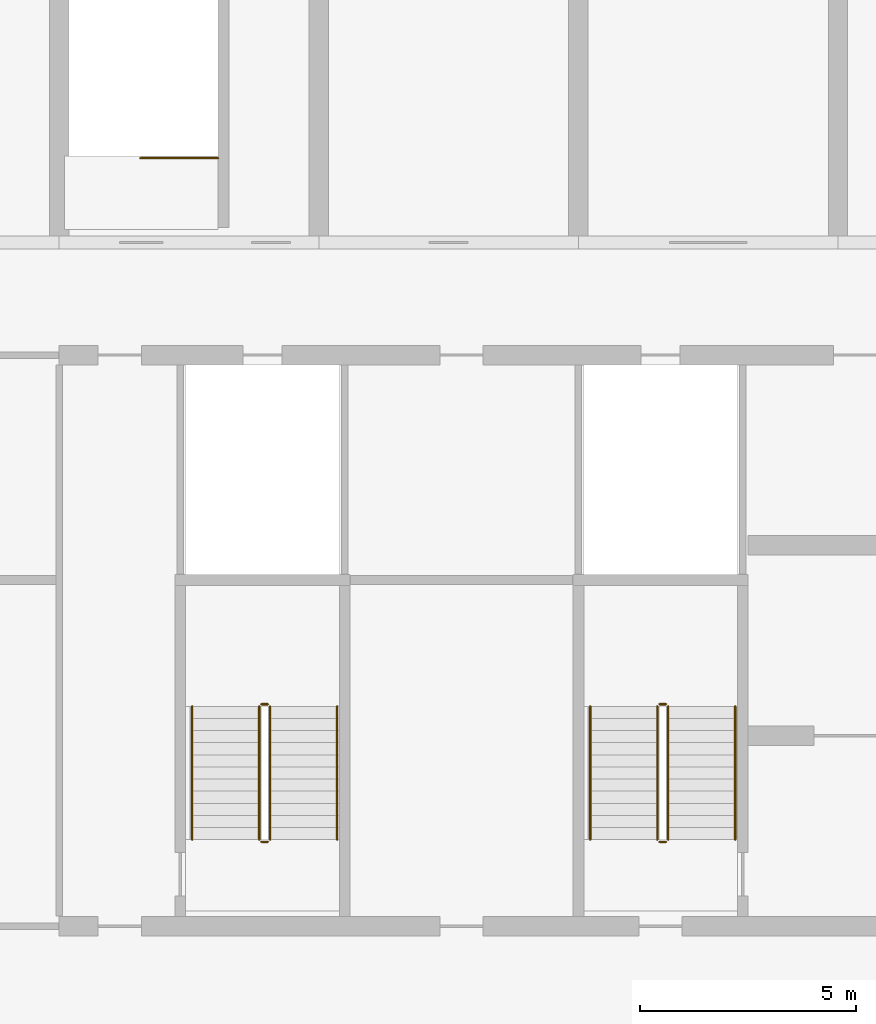
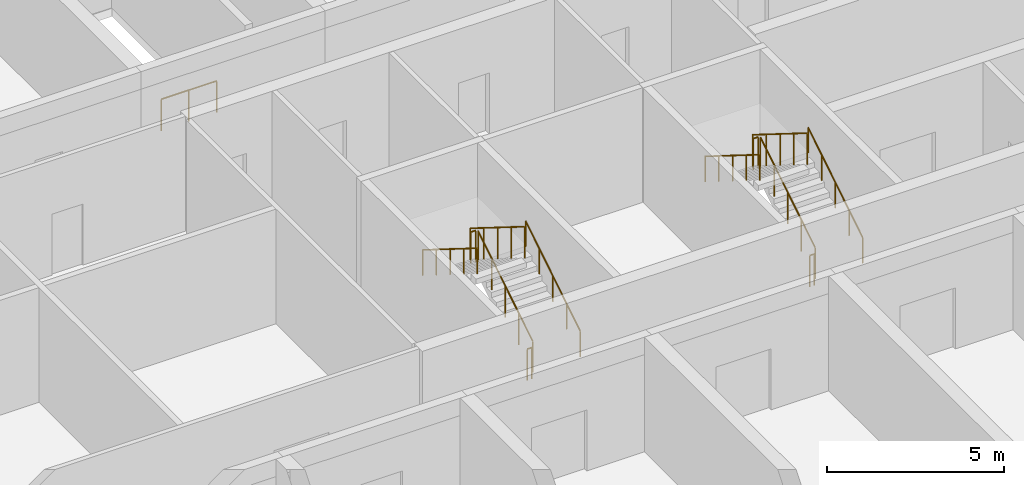
# One storey, part 13 of 15: 13 railings.
"""IFC4 building model written with IfcOpenShell, lengths in metres."""

from ifc_helpers import new_model, si_unit, direction, frame, origin, origin_2d, place, context, subcontext, project, spatial, circle, extrude, material, type_object, element, save


model = new_model("IFC4")

# Units and contexts
model_context = context("Model", 3, precision=1e-05, world=origin(), true_north=direction((0.0, 1.0)))
body_context = subcontext(model_context, "Body", "Model", "MODEL_VIEW")
ifc_project = project(units=[si_unit("LENGTHUNIT", "METRE"), si_unit("AREAUNIT", "SQUARE_METRE"), si_unit("VOLUMEUNIT", "CUBIC_METRE"), si_unit("PLANEANGLEUNIT", "RADIAN"), si_unit("MASSUNIT", "GRAM", prefix="KILO")], contexts=[model_context])

# Site, building, storey
site_placement = place(None, origin())
site = spatial("IfcSite", under=ifc_project, at=site_placement, CompositionType="ELEMENT")
building_placement = place(site_placement, origin())
building = spatial("IfcBuilding", under=site, at=building_placement, Name="Poui Terraces", CompositionType="ELEMENT")
storey_placement = place(building_placement, frame((0.0, 0.0, 19.199951171875)))
storey = spatial("IfcBuildingStorey", under=building, at=storey_placement, Name="L04", CompositionType="ELEMENT", Elevation=19.199951171875)

# Railings
ifc_material_1 = material(Name="Galvanised steel balustrade", Category="steel")
railing_type_1 = type_object("IfcRailingType", Name="STAIR GUARD 1100", PredefinedType="GUARDRAIL", material=ifc_material_1)
railing_1_placement = place(storey_placement, frame((32.074951171875, 16.60009765625, 0.175048828125)))
element("IfcRailing", 1, at=railing_1_placement, inside=storey, type_object=railing_type_1, Name="L04 ST-CW stair guard 1", PredefinedType="GUARDRAIL", context=body_context, shape_type="SweptSolid", body=[
    extrude(circle(Radius=0.02392578125, at=origin_2d()), frame((0.0, 0.0, 1.076171875), z_axis=(0.0, 0.847979421464, 0.530029150871), x_axis=(-1.0, 0.0, 0.0)), (0.0, 0.0, 1.0), 3.632080078125),
    extrude(circle(Radius=0.02099609375, at=origin_2d()), origin(), (0.0, 0.0, 1.0), 1.052001953125),
    extrude(circle(Radius=0.02099609375, at=origin_2d()), frame((0.0, 0.77001953125, 0.481201171875)), (0.0, 0.0, 1.0), 1.052001953125),
    extrude(circle(Radius=0.02099609375, at=origin_2d()), frame((0.0, 1.5400390625, 0.96240234375)), (0.0, 0.0, 1.0), 1.052001953125),
    extrude(circle(Radius=0.02099609375, at=origin_2d()), frame((0.0, 2.309814453125, 1.44384765625)), (0.0, 0.0, 1.0), 1.052001953125),
    extrude(circle(Radius=0.02099609375, at=origin_2d()), frame((0.0, 3.079833984375, 1.925048828125)), (0.0, 0.0, 1.0), 1.052001953125),
])
railing_2_placement = place(storey_placement, frame((32.02490234375, 19.72998046875, 2.10009765625)))
element("IfcRailing", 2, at=railing_2_placement, inside=storey, type_object=railing_type_1, Name="L04 ST-CW stair guard 2", PredefinedType="GUARDRAIL", context=body_context, shape_type="SweptSolid", body=[
    extrude(circle(Radius=0.02392578125, at=origin_2d()), frame((0.0, 0.0, 1.076171875), z_axis=(-1.0, 0.0, 0.0), x_axis=(0.0, -1.0, 0.0)), (0.0, 0.0, 1.0), 0.14990234375),
    extrude(circle(Radius=0.02099609375, at=origin_2d()), origin(), (0.0, 0.0, 1.0), 1.052001953125),
    extrude(circle(Radius=0.02099609375, at=origin_2d()), frame((-0.14990234375, 0.0, 0.0)), (0.0, 0.0, 1.0), 1.052001953125),
])
railing_3_placement = place(storey_placement, frame((31.824951171875, 19.679931640625, 2.275146484375)))
element("IfcRailing", 3, at=railing_3_placement, inside=storey, type_object=railing_type_1, Name="L04 ST-CW stair guard 3", PredefinedType="GUARDRAIL", context=body_context, shape_type="SweptSolid", body=[
    extrude(circle(Radius=0.02392578125, at=origin_2d()), frame((0.0, 0.0, 1.076171875), z_axis=(0.0, -0.848009633417, 0.529980812513), x_axis=(1.0, 0.0, 0.0)), (0.0, 0.0, 1.0), 3.6318359375),
    extrude(circle(Radius=0.02099609375, at=origin_2d()), origin(), (0.0, 0.0, 1.0), 1.052001953125),
    extrude(circle(Radius=0.02099609375, at=origin_2d()), frame((0.0, -0.77001953125, 0.481201171875)), (0.0, 0.0, 1.0), 1.052001953125),
    extrude(circle(Radius=0.02099609375, at=origin_2d()), frame((0.0, -1.5400390625, 0.96240234375)), (0.0, 0.0, 1.0), 1.052001953125),
    extrude(circle(Radius=0.02099609375, at=origin_2d()), frame((0.0, -2.309814453125, 1.443603515625)), (0.0, 0.0, 1.0), 1.052001953125),
    extrude(circle(Radius=0.02099609375, at=origin_2d()), frame((0.0, -3.079833984375, 1.9248046875)), (0.0, 0.0, 1.0), 1.052001953125),
])
railing_4_placement = place(storey_placement, frame((32.02490234375, 16.550048828125, 0.0)))
element("IfcRailing", 4, at=railing_4_placement, inside=storey, type_object=railing_type_1, Name="L04 ST-CW stair guard 4", PredefinedType="GUARDRAIL", context=body_context, shape_type="SweptSolid", body=[
    extrude(circle(Radius=0.02392578125, at=origin_2d()), frame((0.0, 0.0, 1.076171875), z_axis=(-1.0, 0.0, 0.0), x_axis=(0.0, -1.0, 0.0)), (0.0, 0.0, 1.0), 0.14990234375),
    extrude(circle(Radius=0.02099609375, at=origin_2d()), origin(), (0.0, 0.0, 1.0), 1.052001953125),
    extrude(circle(Radius=0.02099609375, at=origin_2d()), frame((-0.14990234375, 0.0, 0.0)), (0.0, 0.0, 1.0), 1.052001953125),
])
railing_5_placement = place(storey_placement, frame((22.875, 16.60009765625, 0.175048828125)))
element("IfcRailing", 5, at=railing_5_placement, inside=storey, type_object=railing_type_1, Name="L04 ST-W stair guard 1", PredefinedType="GUARDRAIL", context=body_context, shape_type="SweptSolid", body=[
    extrude(circle(Radius=0.02392578125, at=origin_2d()), frame((0.0, 0.0, 1.076171875), z_axis=(0.0, 0.847979421464, 0.530029150871), x_axis=(-1.0, 0.0, 0.0)), (0.0, 0.0, 1.0), 3.632080078125),
    extrude(circle(Radius=0.02099609375, at=origin_2d()), origin(), (0.0, 0.0, 1.0), 1.052001953125),
    extrude(circle(Radius=0.02099609375, at=origin_2d()), frame((0.0, 0.77001953125, 0.481201171875)), (0.0, 0.0, 1.0), 1.052001953125),
    extrude(circle(Radius=0.02099609375, at=origin_2d()), frame((0.0, 1.5400390625, 0.96240234375)), (0.0, 0.0, 1.0), 1.052001953125),
    extrude(circle(Radius=0.02099609375, at=origin_2d()), frame((0.0, 2.309814453125, 1.44384765625)), (0.0, 0.0, 1.0), 1.052001953125),
    extrude(circle(Radius=0.02099609375, at=origin_2d()), frame((0.0, 3.079833984375, 1.925048828125)), (0.0, 0.0, 1.0), 1.052001953125),
])
railing_6_placement = place(storey_placement, frame((22.824951171875, 19.72998046875, 2.10009765625)))
element("IfcRailing", 6, at=railing_6_placement, inside=storey, type_object=railing_type_1, Name="L04 ST-W stair guard 2", PredefinedType="GUARDRAIL", context=body_context, shape_type="SweptSolid", body=[
    extrude(circle(Radius=0.02392578125, at=origin_2d()), frame((0.0, 0.0, 1.076171875), z_axis=(-1.0, 0.0, 0.0), x_axis=(0.0, -1.0, 0.0)), (0.0, 0.0, 1.0), 0.14990234375),
    extrude(circle(Radius=0.02099609375, at=origin_2d()), origin(), (0.0, 0.0, 1.0), 1.052001953125),
    extrude(circle(Radius=0.02099609375, at=origin_2d()), frame((-0.14990234375, 0.0, 0.0)), (0.0, 0.0, 1.0), 1.052001953125),
])
railing_7_placement = place(storey_placement, frame((22.625, 19.679931640625, 2.275146484375)))
element("IfcRailing", 7, at=railing_7_placement, inside=storey, type_object=railing_type_1, Name="L04 ST-W stair guard 3", PredefinedType="GUARDRAIL", context=body_context, shape_type="SweptSolid", body=[
    extrude(circle(Radius=0.02392578125, at=origin_2d()), frame((0.0, 0.0, 1.076171875), z_axis=(0.0, -0.848009633417, 0.529980812513), x_axis=(1.0, 0.0, 0.0)), (0.0, 0.0, 1.0), 3.6318359375),
    extrude(circle(Radius=0.02099609375, at=origin_2d()), origin(), (0.0, 0.0, 1.0), 1.052001953125),
    extrude(circle(Radius=0.02099609375, at=origin_2d()), frame((0.0, -0.77001953125, 0.481201171875)), (0.0, 0.0, 1.0), 1.052001953125),
    extrude(circle(Radius=0.02099609375, at=origin_2d()), frame((0.0, -1.5400390625, 0.96240234375)), (0.0, 0.0, 1.0), 1.052001953125),
    extrude(circle(Radius=0.02099609375, at=origin_2d()), frame((0.0, -2.309814453125, 1.443603515625)), (0.0, 0.0, 1.0), 1.052001953125),
    extrude(circle(Radius=0.02099609375, at=origin_2d()), frame((0.0, -3.079833984375, 1.9248046875)), (0.0, 0.0, 1.0), 1.052001953125),
])
railing_8_placement = place(storey_placement, frame((22.824951171875, 16.550048828125, 0.0)))
element("IfcRailing", 8, at=railing_8_placement, inside=storey, type_object=railing_type_1, Name="L04 ST-W stair guard 4", PredefinedType="GUARDRAIL", context=body_context, shape_type="SweptSolid", body=[
    extrude(circle(Radius=0.02392578125, at=origin_2d()), frame((0.0, 0.0, 1.076171875), z_axis=(-1.0, 0.0, 0.0), x_axis=(0.0, -1.0, 0.0)), (0.0, 0.0, 1.0), 0.14990234375),
    extrude(circle(Radius=0.02099609375, at=origin_2d()), origin(), (0.0, 0.0, 1.0), 1.052001953125),
    extrude(circle(Radius=0.02099609375, at=origin_2d()), frame((-0.14990234375, 0.0, 0.0)), (0.0, 0.0, 1.0), 1.052001953125),
])
railing_9_placement = place(storey_placement, frame((21.675048828125, 32.35009765625, 0.0)))
element("IfcRailing", 9, at=railing_9_placement, inside=storey, type_object=railing_type_1, Name="L04 ST-N1 top well guard 1", PredefinedType="GUARDRAIL", context=body_context, shape_type="SweptSolid", body=[
    extrude(circle(Radius=0.02392578125, at=origin_2d()), frame((0.0, 0.0, 1.076171875), z_axis=(-1.0, 0.0, 0.0), x_axis=(0.0, -1.0, 0.0)), (0.0, 0.0, 1.0), 1.800048828125),
    extrude(circle(Radius=0.02099609375, at=origin_2d()), origin(), (0.0, 0.0, 1.0), 1.052001953125),
    extrude(circle(Radius=0.02099609375, at=origin_2d()), frame((-0.89990234375, 0.0, 0.0)), (0.0, 0.0, 1.0), 1.052001953125),
    extrude(circle(Radius=0.02099609375, at=origin_2d()), frame((-1.800048828125, 0.0, 0.0)), (0.0, 0.0, 1.0), 1.052001953125),
])
ifc_material_2 = material(Name="Stainless steel handrail", Category="steel")
railing_type_2 = type_object("IfcRailingType", Name="STAIR HANDRAIL 900", PredefinedType="HANDRAIL", material=ifc_material_2)
railing_10_placement = place(storey_placement, frame((33.625, 16.60009765625, 0.175048828125)))
element("IfcRailing", 10, at=railing_10_placement, inside=storey, type_object=railing_type_2, Name="L04 ST-CW stair handrail 1", PredefinedType="HANDRAIL", context=body_context, shape_type="SweptSolid", body=[
    extrude(circle(Radius=0.02392578125, at=origin_2d()), frame((0.0, 0.0, 0.8759765625), z_axis=(0.0, 0.847979421464, 0.530029150871), x_axis=(-1.0, 0.0, 0.0)), (0.0, 0.0, 1.0), 3.632080078125),
    extrude(circle(Radius=0.02099609375, at=origin_2d()), origin(), (0.0, 0.0, 1.0), 0.851806640625),
    extrude(circle(Radius=0.02099609375, at=origin_2d()), frame((0.0, 0.77001953125, 0.481201171875)), (0.0, 0.0, 1.0), 0.851806640625),
    extrude(circle(Radius=0.02099609375, at=origin_2d()), frame((0.0, 1.5400390625, 0.96240234375)), (0.0, 0.0, 1.0), 0.851806640625),
    extrude(circle(Radius=0.02099609375, at=origin_2d()), frame((0.0, 2.309814453125, 1.44384765625)), (0.0, 0.0, 1.0), 0.851806640625),
    extrude(circle(Radius=0.02099609375, at=origin_2d()), frame((0.0, 3.079833984375, 1.925048828125)), (0.0, 0.0, 1.0), 0.851806640625),
])
railing_11_placement = place(storey_placement, frame((30.27490234375, 19.679931640625, 2.275146484375)))
element("IfcRailing", 11, at=railing_11_placement, inside=storey, type_object=railing_type_2, Name="L04 ST-CW stair handrail 2", PredefinedType="HANDRAIL", context=body_context, shape_type="SweptSolid", body=[
    extrude(circle(Radius=0.02392578125, at=origin_2d()), frame((0.0, 0.0, 0.8759765625), z_axis=(0.0, -0.848009633417, 0.529980812513), x_axis=(1.0, 0.0, 0.0)), (0.0, 0.0, 1.0), 3.6318359375),
    extrude(circle(Radius=0.02099609375, at=origin_2d()), origin(), (0.0, 0.0, 1.0), 0.851806640625),
    extrude(circle(Radius=0.02099609375, at=origin_2d()), frame((0.0, -0.77001953125, 0.481201171875)), (0.0, 0.0, 1.0), 0.851806640625),
    extrude(circle(Radius=0.02099609375, at=origin_2d()), frame((0.0, -1.5400390625, 0.96240234375)), (0.0, 0.0, 1.0), 0.851806640625),
    extrude(circle(Radius=0.02099609375, at=origin_2d()), frame((0.0, -2.309814453125, 1.443603515625)), (0.0, 0.0, 1.0), 0.851806640625),
    extrude(circle(Radius=0.02099609375, at=origin_2d()), frame((0.0, -3.079833984375, 1.9248046875)), (0.0, 0.0, 1.0), 0.851806640625),
])
railing_12_placement = place(storey_placement, frame((24.425048828125, 16.60009765625, 0.175048828125)))
element("IfcRailing", 12, at=railing_12_placement, inside=storey, type_object=railing_type_2, Name="L04 ST-W stair handrail 1", PredefinedType="HANDRAIL", context=body_context, shape_type="SweptSolid", body=[
    extrude(circle(Radius=0.02392578125, at=origin_2d()), frame((0.0, 0.0, 0.8759765625), z_axis=(0.0, 0.847979421464, 0.530029150871), x_axis=(-1.0, 0.0, 0.0)), (0.0, 0.0, 1.0), 3.632080078125),
    extrude(circle(Radius=0.02099609375, at=origin_2d()), origin(), (0.0, 0.0, 1.0), 0.851806640625),
    extrude(circle(Radius=0.02099609375, at=origin_2d()), frame((0.0, 0.77001953125, 0.481201171875)), (0.0, 0.0, 1.0), 0.851806640625),
    extrude(circle(Radius=0.02099609375, at=origin_2d()), frame((0.0, 1.5400390625, 0.96240234375)), (0.0, 0.0, 1.0), 0.851806640625),
    extrude(circle(Radius=0.02099609375, at=origin_2d()), frame((0.0, 2.309814453125, 1.44384765625)), (0.0, 0.0, 1.0), 0.851806640625),
    extrude(circle(Radius=0.02099609375, at=origin_2d()), frame((0.0, 3.079833984375, 1.925048828125)), (0.0, 0.0, 1.0), 0.851806640625),
])
railing_13_placement = place(storey_placement, frame((21.074951171875, 19.679931640625, 2.275146484375)))
element("IfcRailing", 13, at=railing_13_placement, inside=storey, type_object=railing_type_2, Name="L04 ST-W stair handrail 2", PredefinedType="HANDRAIL", context=body_context, shape_type="SweptSolid", body=[
    extrude(circle(Radius=0.02392578125, at=origin_2d()), frame((0.0, 0.0, 0.8759765625), z_axis=(0.0, -0.848009633417, 0.529980812513), x_axis=(1.0, 0.0, 0.0)), (0.0, 0.0, 1.0), 3.6318359375),
    extrude(circle(Radius=0.02099609375, at=origin_2d()), origin(), (0.0, 0.0, 1.0), 0.851806640625),
    extrude(circle(Radius=0.02099609375, at=origin_2d()), frame((0.0, -0.77001953125, 0.481201171875)), (0.0, 0.0, 1.0), 0.851806640625),
    extrude(circle(Radius=0.02099609375, at=origin_2d()), frame((0.0, -1.5400390625, 0.96240234375)), (0.0, 0.0, 1.0), 0.851806640625),
    extrude(circle(Radius=0.02099609375, at=origin_2d()), frame((0.0, -2.309814453125, 1.443603515625)), (0.0, 0.0, 1.0), 0.851806640625),
    extrude(circle(Radius=0.02099609375, at=origin_2d()), frame((0.0, -3.079833984375, 1.9248046875)), (0.0, 0.0, 1.0), 0.851806640625),
])

save(model, "model.ifc")
